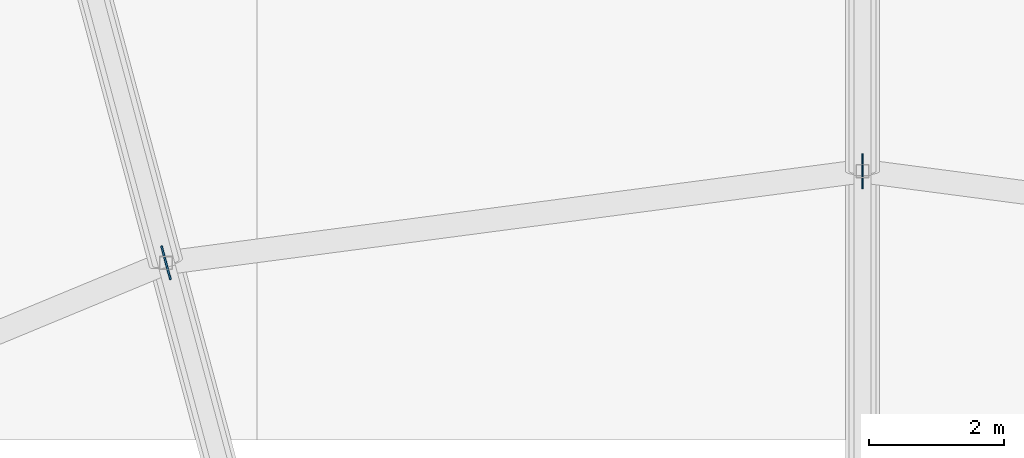
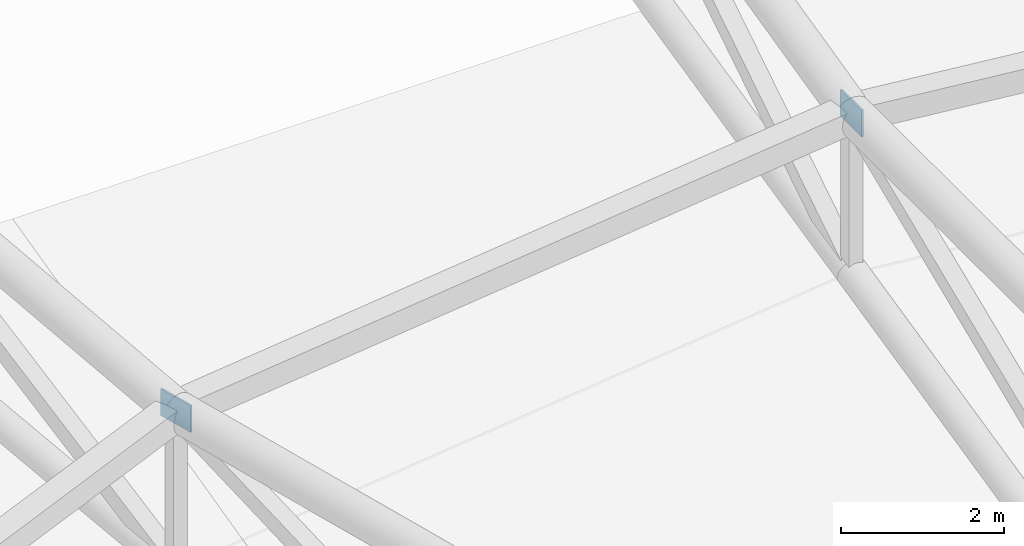
# One storey, part 132 of 167: 2 plates.
"""IFC4 building model written with IfcOpenShell, lengths in metres."""

from ifc_helpers import new_model, si_unit, direction, frame, origin, origin_2d, place, context, subcontext, project, spatial, rectangle, extrude, material, layer, layer_set, type_object, element, save


model = new_model("IFC4")

# Units and contexts
model_context = context("Model", 3, precision=1e-05, world=origin(), true_north=direction((0.0, 1.0)))
body_context = subcontext(model_context, "Body", "Model", "MODEL_VIEW")
ifc_project = project(units=[si_unit("LENGTHUNIT", "METRE"), si_unit("AREAUNIT", "SQUARE_METRE"), si_unit("VOLUMEUNIT", "CUBIC_METRE"), si_unit("PLANEANGLEUNIT", "RADIAN"), si_unit("MASSUNIT", "GRAM", prefix="KILO")], contexts=[model_context])

# Site, building, storey
site_placement = place(None, origin())
site = spatial("IfcSite", under=ifc_project, at=site_placement, CompositionType="ELEMENT")
building_placement = place(site_placement, origin())
building = spatial("IfcBuilding", under=site, at=building_placement, Name="Dornveld Trade and Exhibition Forum", CompositionType="ELEMENT")
storey_placement = place(building_placement, frame((0.0, 0.0, 16.800048828125)))
storey = spatial("IfcBuildingStorey", under=building, at=storey_placement, Name="L03", CompositionType="ELEMENT", Elevation=16.800048828125)

# Plates
ifc_material_1 = material(Name="Steel S355J2", Category="steel")
ifc_layer_1 = layer(ifc_material_1, 0.01611328125)
ifc_layer_set_1 = layer_set([ifc_layer_1], Name="Steel S355J2")
plate_type_1 = type_object("IfcPlateType", Name="PL-NODE-07", PredefinedType="USERDEFINED", material=ifc_layer_set_1)
plate_1_placement = place(storey_placement, frame((117.0, 121.0, 4.25), z_axis=(0.0, 0.0, 1.0), x_axis=(0.0, 1.0, 0.0)))
element("IfcPlate", 1, at=plate_1_placement, inside=storey, type_object=plate_type_1, Name="Floating disc core-ring gusset 7", ObjectType="GUSSET", PredefinedType="USERDEFINED", context=body_context, shape_type="SweptSolid", body=[
    extrude(rectangle(XDim=0.52001953125, YDim=0.028076171875, at=origin_2d()), origin(), (0.0, 0.0, 1.0), 0.39990234375),
])
ifc_material_2 = material(Name="Steel S355J2", Category="steel")
ifc_layer_2 = layer(ifc_material_2, 0.013916015625)
ifc_layer_set_2 = layer_set([ifc_layer_2], Name="Steel S355J2")
plate_type_2 = type_object("IfcPlateType", Name="PL-NODE-08", PredefinedType="USERDEFINED", material=ifc_layer_set_2)
plate_2_placement = place(storey_placement, frame((106.647216796875, 119.636962890625, 4.25), z_axis=(0.0, 0.0, 1.0), x_axis=(-0.258819045103, 0.965925826289, 0.0)))
element("IfcPlate", 2, at=plate_2_placement, inside=storey, type_object=plate_type_2, Name="Floating disc core-ring gusset 8", ObjectType="GUSSET", PredefinedType="USERDEFINED", context=body_context, shape_type="SweptSolid", body=[
    extrude(rectangle(XDim=0.52001953125, YDim=0.028076171875, at=origin_2d()), origin(), (0.0, 0.0, 1.0), 0.39990234375),
])

save(model, "model.ifc")
